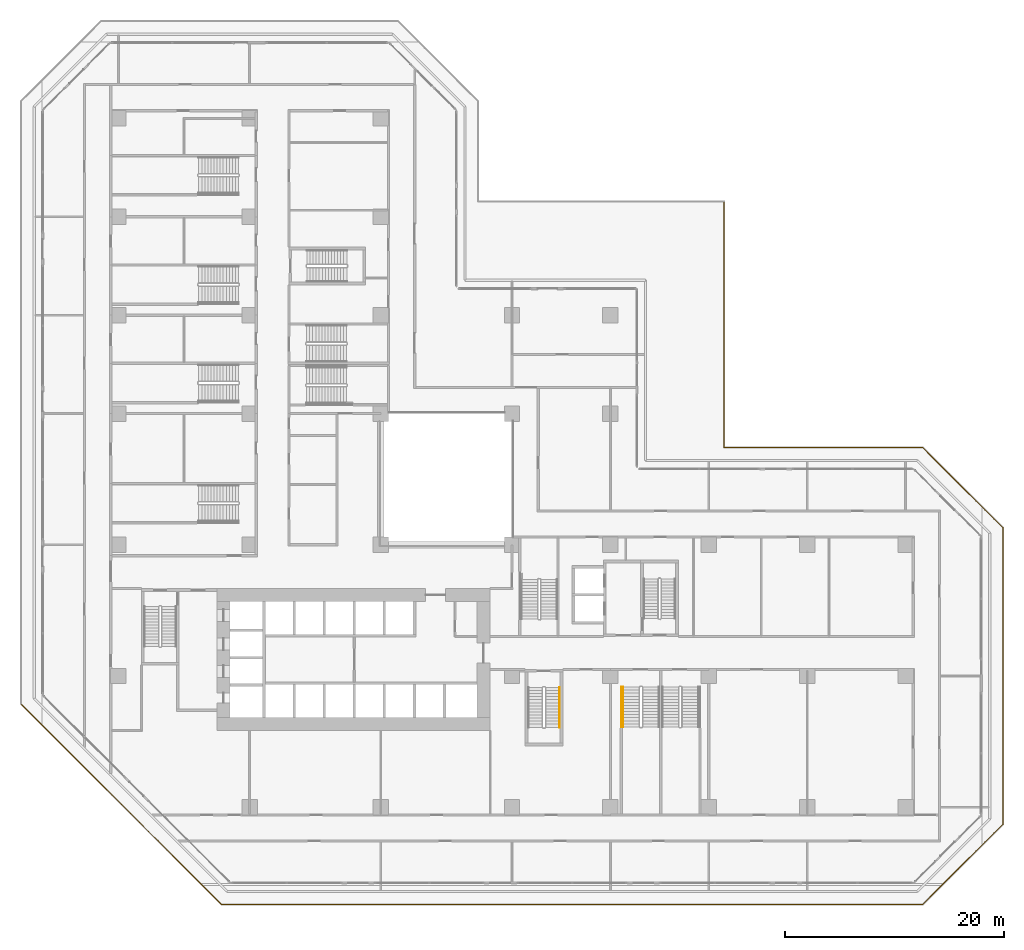
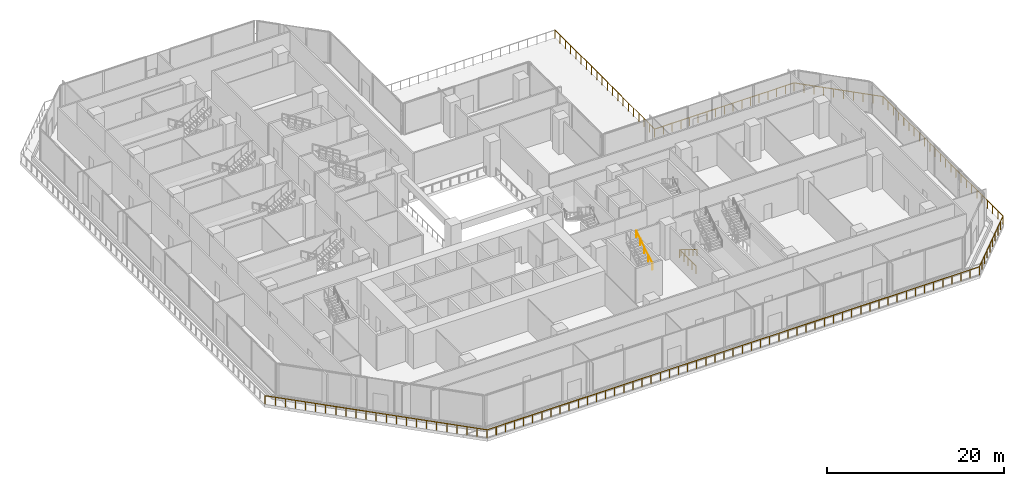
# One storey, part 21 of 25: 4 railings.
"""IFC4 building model written with IfcOpenShell, lengths in metres."""

import ifcopenshell
import ifcopenshell.guid

model = None  # the IFC model being written
_history = None  # IfcOwnerHistory: only IFC2X3 demands one
_inside = {}  # id of a spatial element -> (the spatial element, [elements in it])
_under = {}  # id of a project, library or spatial element -> (it, [spatial elements below it])
_declared = {}  # id of a project -> (the project, [libraries it declares])
_typed = {}  # id of a type object -> (the type object, [elements of that type])
_made_of = {}  # id of a material, layer set ... -> (it, [elements and type objects made of it])


def new_model(schema):
    """Start an empty IFC model of exactly this schema.

    Asked for "IFC4X3", IfcOpenShell would pick the latest addendum, in which some entities
    have other attributes; the version numbers below select the first issue.
    IFC2X3 requires an IfcOwnerHistory on every rooted entity: one is made here for all.
    """
    global model, _history
    if schema == "IFC4X3":
        model = ifcopenshell.file(schema_version=(4, 3, 0, 0))
    else:
        model = ifcopenshell.file(schema=schema)
    _inside.clear()
    _under.clear()
    _declared.clear()
    _typed.clear()
    _made_of.clear()
    _history = None
    if model.schema == "IFC2X3":
        org = make("IfcOrganization", Name="unknown")
        user = make(
            "IfcPersonAndOrganization",
            ThePerson=make("IfcPerson", FamilyName="unknown"),
            TheOrganization=org,
        )
        app = make(
            "IfcApplication",
            ApplicationDeveloper=org,
            Version="unknown",
            ApplicationFullName="unknown",
            ApplicationIdentifier="unknown",
        )
        _history = make(
            "IfcOwnerHistory",
            OwningUser=user,
            OwningApplication=app,
            ChangeAction="ADDED",
            CreationDate=0,
        )
    return model


def make(cls, **values):
    """One entity of the class cls with the attributes given. An attribute that is None is left unset."""
    return model.create_entity(
        cls, **{name: value for name, value in values.items() if value is not None}
    )


def rooted(cls, **values):
    """An entity with a GlobalId (a new one), such as an element, a storey or a relation."""
    return make(cls, GlobalId=ifcopenshell.guid.new(), OwnerHistory=_history, **values)


def si_unit(unit_type, name, prefix=None):
    """IfcSIUnit, for example si_unit("LENGTHUNIT", "METRE", prefix="MILLI")."""
    return make("IfcSIUnit", UnitType=unit_type, Prefix=prefix, Name=name)


def assignment(units):
    """IfcUnitAssignment: the units of a project."""
    return None if units is None else make("IfcUnitAssignment", Units=units)


def point(xyz):
    """IfcCartesianPoint."""
    return None if xyz is None else make("IfcCartesianPoint", Coordinates=xyz)


def direction(xyz):
    """IfcDirection."""
    return None if xyz is None else make("IfcDirection", DirectionRatios=xyz)


def frame(location, z_axis=None, x_axis=None):
    """IfcAxis2Placement3D, a coordinate frame: its origin and axes. An axis left out is left unset."""
    return make(
        "IfcAxis2Placement3D",
        Location=point(location),
        Axis=direction(z_axis),
        RefDirection=direction(x_axis),
    )


def frame_2d(location, x_axis=None):
    """IfcAxis2Placement2D, a coordinate frame in the plane: its origin and x axis."""
    return make(
        "IfcAxis2Placement2D", Location=point(location), RefDirection=direction(x_axis)
    )


def origin():
    """The frame at (0, 0, 0) with its axes left unset."""
    return frame((0.0, 0.0, 0.0))


def origin_2d():
    """The frame at (0, 0) in the plane with its x axis left unset."""
    return frame_2d((0.0, 0.0))


def place(relative_to, where):
    """IfcLocalPlacement: puts the frame where relative to a parent placement (None: the world)."""
    return make(
        "IfcLocalPlacement", PlacementRelTo=relative_to, RelativePlacement=where
    )


def context(
    kind, dimensions, precision=None, world=None, true_north=None, identifier=None
):
    """IfcGeometricRepresentationContext, for example the 3D "Model" context."""
    return make(
        "IfcGeometricRepresentationContext",
        ContextIdentifier=identifier,
        ContextType=kind,
        CoordinateSpaceDimension=dimensions,
        Precision=precision,
        WorldCoordinateSystem=world,
        TrueNorth=true_north,
    )


def subcontext(parent, identifier, kind, view, scale=None):
    """IfcGeometricRepresentationSubContext, for example "Body" below "Model"."""
    return make(
        "IfcGeometricRepresentationSubContext",
        ContextIdentifier=identifier,
        ContextType=kind,
        ParentContext=parent,
        TargetScale=scale,
        TargetView=view,
    )


def project(units=None, contexts=None):
    """IfcProject with its units and contexts."""
    return rooted(
        "IfcProject",
        Name="project",
        RepresentationContexts=contexts,
        UnitsInContext=assignment(units),
    )


def spatial(cls, under=None, at=None, **own):
    """A site, building, storey or space (cls), placed at a placement, below another one or the project."""
    s = rooted(cls, ObjectPlacement=at, **own)
    if under is not None:
        _under.setdefault(under.id(), (under, []))[1].append(s)
    return s


def profile(cls, at=None, kind="AREA", **sizes):
    """A parametric profile (cls). Its sizes go by their IFC names, for example OverallWidth=200.0."""
    return make(cls, ProfileType=kind, Position=at, **sizes)


def rectangle(**sizes):
    """IfcRectangleProfileDef."""
    return profile("IfcRectangleProfileDef", **sizes)


def extrude(swept, where, along, depth):
    """IfcExtrudedAreaSolid: the profile swept, set in the frame where, extruded along a direction by depth."""
    return make(
        "IfcExtrudedAreaSolid",
        SweptArea=swept,
        Position=where,
        ExtrudedDirection=direction(along),
        Depth=depth,
    )


def shape(context_of_items, identifier, shape_type, items):
    """IfcShapeRepresentation: the items that make up one representation, for example the "Body"."""
    return make(
        "IfcShapeRepresentation",
        ContextOfItems=context_of_items,
        RepresentationIdentifier=identifier,
        RepresentationType=shape_type,
        Items=items,
    )


def material(Name=None, Category=None):
    """IfcMaterial."""
    return make("IfcMaterial", Name=Name, Category=Category)


def made_of(thing, what):
    """Note that an element or type object is made of a material, layer set ...; save() writes the relation."""
    if what is not None:
        _made_of.setdefault(what.id(), (what, []))[1].append(thing)
    return thing


def type_object(cls, material=None, **own):
    """A type object (cls), such as IfcWallType, which elements share."""
    return made_of(rooted(cls, **own), material)


def element(
    cls,
    number,
    at=None,
    inside=None,
    cuts=None,
    type_object=None,
    material=None,
    context=None,
    identifier="Body",
    shape_type=None,
    held_by="IfcProductDefinitionShape",
    body=None,
    shapes=None,
    **own,
):
    """One element of the class cls, such as IfcWall. Its Tag is "e" and its number.

    at: its placement. inside: the storey or other place that contains it. cuts: it is an
    opening in that element (IfcRelVoidsElement). A single representation is given by context,
    identifier, shape_type and body (its items); several are given by shapes. held_by: the class
    of the entity that holds the representations. save() writes the other relations.
    """
    e = rooted(cls, Tag="e%d" % number, ObjectPlacement=at, **own)
    if body is not None:
        shapes = [shape(context, identifier, shape_type, body)]
    if shapes is not None:
        e.Representation = make(held_by, Representations=shapes)
    if inside is not None:
        _inside.setdefault(inside.id(), (inside, []))[1].append(e)
    if cuts is not None:
        rooted(
            "IfcRelVoidsElement", RelatingBuildingElement=cuts, RelatedOpeningElement=e
        )
    if type_object is not None:
        _typed.setdefault(type_object.id(), (type_object, []))[1].append(e)
    return made_of(e, material)


def aggregate(whole, parts):
    """IfcRelAggregates: a whole, such as a stair, and the parts it consists of."""
    return rooted("IfcRelAggregates", RelatingObject=whole, RelatedObjects=parts)


def save(model, path):
    """Write the relations noted so far, then the file.

    IfcRelAggregates (storeys below a building ...), IfcRelContainedInSpatialStructure (elements
    in a storey), IfcRelDefinesByType, IfcRelAssociatesMaterial and IfcRelDeclares: one each for
    every whole, place, type object, material and project.
    """
    for whole, parts in _under.values():
        aggregate(whole, parts)
    for where, things in _inside.values():
        rooted(
            "IfcRelContainedInSpatialStructure",
            RelatedElements=things,
            RelatingStructure=where,
        )
    for kind, things in _typed.values():
        rooted("IfcRelDefinesByType", RelatedObjects=things, RelatingType=kind)
    for what, things in _made_of.values():
        rooted("IfcRelAssociatesMaterial", RelatedObjects=things, RelatingMaterial=what)
    for by, libraries in _declared.values():
        rooted("IfcRelDeclares", RelatingContext=by, RelatedDefinitions=libraries)
    model.write(path)


model = new_model("IFC4")

# Units and contexts
model_context = context("Model", 3, precision=1e-05, world=origin(), true_north=direction((0.0, 1.0)))
body_context = subcontext(model_context, "Body", "Model", "MODEL_VIEW")
ifc_project = project(units=[si_unit("LENGTHUNIT", "METRE"), si_unit("AREAUNIT", "SQUARE_METRE"), si_unit("VOLUMEUNIT", "CUBIC_METRE"), si_unit("PLANEANGLEUNIT", "RADIAN"), si_unit("MASSUNIT", "GRAM", prefix="KILO")], contexts=[model_context])

# Site, building, storey
site_placement = place(None, origin())
site = spatial("IfcSite", under=ifc_project, at=site_placement, CompositionType="ELEMENT")
building_placement = place(site_placement, origin())
building = spatial("IfcBuilding", under=site, at=building_placement, Name="Chenar Terraces", CompositionType="ELEMENT")
storey_placement = place(building_placement, frame((0.0, 0.0, 21.60009765625)))
storey = spatial("IfcBuildingStorey", under=building, at=storey_placement, Name="L04", CompositionType="ELEMENT", Elevation=21.60009765625)

# Railings
ifc_material_1 = material(Name="Powder-coated steel", Category="steel")
railing_type_1 = type_object("IfcRailingType", Name="Stair guard 1100", PredefinedType="GUARDRAIL", material=ifc_material_1)
railing_1_placement = place(storey_placement, frame((46.010009765625, 10.985107421875, 0.0)))
element("IfcRailing", 1, at=railing_1_placement, inside=storey, type_object=railing_type_1, Name="L04 PS6 stair guard 101", PredefinedType="GUARDRAIL", context=body_context, shape_type="SweptSolid", body=[
    extrude(rectangle(XDim=0.048095703125, YDim=0.048095703125, at=origin_2d()), frame((0.0, 0.0, 1.076171875), z_axis=(0.0, -1.0, 0.0), x_axis=(1.0, 0.0, 0.0)), (0.0, 0.0, 1.0), 3.660888671875),
    extrude(rectangle(XDim=0.0419921875, YDim=0.0419921875, at=origin_2d()), origin(), (0.0, 0.0, 1.0), 1.052001953125),
    extrude(rectangle(XDim=0.0419921875, YDim=0.0419921875, at=origin_2d()), frame((0.0, -0.915283203125, 0.0)), (0.0, 0.0, 1.0), 1.052001953125),
    extrude(rectangle(XDim=0.0419921875, YDim=0.0419921875, at=origin_2d()), frame((0.0, -1.83056640625, 0.0)), (0.0, 0.0, 1.0), 1.052001953125),
    extrude(rectangle(XDim=0.0419921875, YDim=0.0419921875, at=origin_2d()), frame((0.0, -2.74560546875, 0.0)), (0.0, 0.0, 1.0), 1.052001953125),
    extrude(rectangle(XDim=0.0419921875, YDim=0.0419921875, at=origin_2d()), frame((0.0, -3.660888671875, 0.0)), (0.0, 0.0, 1.0), 1.052001953125),
])
ifc_material_2 = material(Name="Powder-coated steel", Category="steel")
railing_type_2 = type_object("IfcRailingType", Name="Stair handrail 900", PredefinedType="HANDRAIL", material=ifc_material_2)
railing_2_placement = place(storey_placement, frame((40.35009765625, 7.31005859375, 2.5712890625)))
element("IfcRailing", 2, at=railing_2_placement, inside=storey, type_object=railing_type_2, Name="L04 ST2 stair handrail 2", PredefinedType="HANDRAIL", context=body_context, shape_type="SweptSolid", body=[
    extrude(rectangle(XDim=0.048095703125, YDim=0.048095703125, at=origin_2d()), frame((0.0, 0.0, 0.8759765625), z_axis=(0.0, 0.852850264322, 0.5221555579), x_axis=(-1.0, 0.0, 0.0)), (0.0, 0.0, 1.0), 4.267822265625),
    extrude(rectangle(XDim=0.0419921875, YDim=0.0419921875, at=origin_2d()), origin(), (0.0, 0.0, 1.0), 0.851806640625),
    extrude(rectangle(XDim=0.0419921875, YDim=0.0419921875, at=origin_2d()), frame((0.0, 0.909912109375, 0.55712890625)), (0.0, 0.0, 1.0), 0.851806640625),
    extrude(rectangle(XDim=0.0419921875, YDim=0.0419921875, at=origin_2d()), frame((0.0, 1.81982421875, 1.1142578125)), (0.0, 0.0, 1.0), 0.851806640625),
    extrude(rectangle(XDim=0.0419921875, YDim=0.0419921875, at=origin_2d()), frame((0.0, 2.72998046875, 1.67138671875)), (0.0, 0.0, 1.0), 0.851806640625),
    extrude(rectangle(XDim=0.0419921875, YDim=0.0419921875, at=origin_2d()), frame((0.0, 3.639892578125, 2.228515625)), (0.0, 0.0, 1.0), 0.851806640625),
])
railing_3_placement = place(storey_placement, frame((46.159912109375, 10.985107421875, 0.17138671875)))
element("IfcRailing", 3, at=railing_3_placement, inside=storey, type_object=railing_type_2, Name="L04 PS6 stair handrail 1", PredefinedType="HANDRAIL", context=body_context, shape_type="SweptSolid", body=[
    extrude(rectangle(XDim=0.048095703125, YDim=0.048095703125, at=origin_2d()), frame((0.0, 0.0, 0.8759765625), z_axis=(0.0, -0.852865859571, 0.52213008492), x_axis=(1.0, 0.0, 0.0)), (0.0, 0.0, 1.0), 4.26806640625),
    extrude(rectangle(XDim=0.0419921875, YDim=0.0419921875, at=origin_2d()), origin(), (0.0, 0.0, 1.0), 0.851806640625),
    extrude(rectangle(XDim=0.0419921875, YDim=0.0419921875, at=origin_2d()), frame((0.0, -0.91015625, 0.55712890625)), (0.0, 0.0, 1.0), 0.851806640625),
    extrude(rectangle(XDim=0.0419921875, YDim=0.0419921875, at=origin_2d()), frame((0.0, -1.820068359375, 1.1142578125)), (0.0, 0.0, 1.0), 0.851806640625),
    extrude(rectangle(XDim=0.0419921875, YDim=0.0419921875, at=origin_2d()), frame((0.0, -2.72998046875, 1.67138671875)), (0.0, 0.0, 1.0), 0.851806640625),
    extrude(rectangle(XDim=0.0419921875, YDim=0.0419921875, at=origin_2d()), frame((0.0, -3.64013671875, 2.228515625)), (0.0, 0.0, 1.0), 0.851806640625),
])
ifc_material_3 = material(Name="Stainless steel and glass", Category="steel")
railing_type_3 = type_object("IfcRailingType", Name="Terrace guard 1150", PredefinedType="GUARDRAIL", material=ifc_material_3)
railing_4_placement = place(storey_placement, frame((55.39990234375, 55.39990234375, 0.0)))
element("IfcRailing", 4, at=railing_4_placement, inside=storey, type_object=railing_type_3, Name="Terrace guard", PredefinedType="GUARDRAIL", context=body_context, shape_type="SweptSolid", body=[
    extrude(rectangle(XDim=0.048095703125, YDim=0.048095703125, at=origin_2d()), frame((0.0, 0.0, 1.1259765625), z_axis=(0.0, -1.0, 0.0), x_axis=(1.0, 0.0, 0.0)), (0.0, 0.0, 1.0), 22.5),
    extrude(rectangle(XDim=0.048095703125, YDim=0.048095703125, at=origin_2d()), frame((0.0, -22.5, 1.1259765625), z_axis=(1.0, 0.0, 0.0), x_axis=(0.0, 1.0, 0.0)), (0.0, 0.0, 1.0), 18.165283203125),
    extrude(rectangle(XDim=0.048095703125, YDim=0.048095703125, at=origin_2d()), frame((18.165283203125, -22.5, 1.1259765625), z_axis=(0.707106781187, -0.707106781187, 0.0), x_axis=(0.707106781187, 0.707106781187, 0.0)), (0.0, 0.0, 1.0), 10.372802734375),
    extrude(rectangle(XDim=0.048095703125, YDim=0.048095703125, at=origin_2d()), frame((25.5, -29.834716796875, 1.1259765625), z_axis=(0.0, -1.0, 0.0), x_axis=(1.0, 0.0, 0.0)), (0.0, 0.0, 1.0), 27.13037109375),
    extrude(rectangle(XDim=0.048095703125, YDim=0.048095703125, at=origin_2d()), frame((25.5, -56.965087890625, 1.1259765625), z_axis=(-0.707106781187, -0.707106781187, 0.0), x_axis=(0.707106781187, -0.707106781187, 0.0)), (0.0, 0.0, 1.0), 10.372802734375),
    extrude(rectangle(XDim=0.048095703125, YDim=0.048095703125, at=origin_2d()), frame((18.165283203125, -64.2998046875, 1.1259765625), z_axis=(-1.0, 0.0, 0.0), x_axis=(0.0, -1.0, 0.0)), (0.0, 0.0, 1.0), 64.13037109375),
    extrude(rectangle(XDim=0.048095703125, YDim=0.048095703125, at=origin_2d()), frame((-45.965087890625, -64.2998046875, 1.1259765625), z_axis=(-0.707106781187, 0.707106781187, 0.0), x_axis=(-0.707106781187, -0.707106781187, 0.0)), (0.0, 0.0, 1.0), 25.92919921875),
    extrude(rectangle(XDim=0.0419921875, YDim=0.0419921875, at=origin_2d()), origin(), (0.0, 0.0, 1.0), 1.101806640625),
    extrude(rectangle(XDim=0.0419921875, YDim=0.0419921875, at=origin_2d()), frame((0.0, -1.184326171875, 0.0)), (0.0, 0.0, 1.0), 1.101806640625),
    extrude(rectangle(XDim=0.0419921875, YDim=0.0419921875, at=origin_2d()), frame((0.0, -2.368408203125, 0.0)), (0.0, 0.0, 1.0), 1.101806640625),
    extrude(rectangle(XDim=0.0419921875, YDim=0.0419921875, at=origin_2d()), frame((0.0, -3.552734375, 0.0)), (0.0, 0.0, 1.0), 1.101806640625),
    extrude(rectangle(XDim=0.0419921875, YDim=0.0419921875, at=origin_2d()), frame((0.0, -4.73681640625, 0.0)), (0.0, 0.0, 1.0), 1.101806640625),
    extrude(rectangle(XDim=0.0419921875, YDim=0.0419921875, at=origin_2d()), frame((0.0, -5.921142578125, 0.0)), (0.0, 0.0, 1.0), 1.101806640625),
    extrude(rectangle(XDim=0.0419921875, YDim=0.0419921875, at=origin_2d()), frame((0.0, -7.105224609375, 0.0)), (0.0, 0.0, 1.0), 1.101806640625),
    extrude(rectangle(XDim=0.0419921875, YDim=0.0419921875, at=origin_2d()), frame((0.0, -8.28955078125, 0.0)), (0.0, 0.0, 1.0), 1.101806640625),
    extrude(rectangle(XDim=0.0419921875, YDim=0.0419921875, at=origin_2d()), frame((0.0, -9.4736328125, 0.0)), (0.0, 0.0, 1.0), 1.101806640625),
    extrude(rectangle(XDim=0.0419921875, YDim=0.0419921875, at=origin_2d()), frame((0.0, -10.657958984375, 0.0)), (0.0, 0.0, 1.0), 1.101806640625),
    extrude(rectangle(XDim=0.0419921875, YDim=0.0419921875, at=origin_2d()), frame((0.0, -11.842041015625, 0.0)), (0.0, 0.0, 1.0), 1.101806640625),
    extrude(rectangle(XDim=0.0419921875, YDim=0.0419921875, at=origin_2d()), frame((0.0, -13.0263671875, 0.0)), (0.0, 0.0, 1.0), 1.101806640625),
    extrude(rectangle(XDim=0.0419921875, YDim=0.0419921875, at=origin_2d()), frame((0.0, -14.21044921875, 0.0)), (0.0, 0.0, 1.0), 1.101806640625),
    extrude(rectangle(XDim=0.0419921875, YDim=0.0419921875, at=origin_2d()), frame((0.0, -15.394775390625, 0.0)), (0.0, 0.0, 1.0), 1.101806640625),
    extrude(rectangle(XDim=0.0419921875, YDim=0.0419921875, at=origin_2d()), frame((0.0, -16.578857421875, 0.0)), (0.0, 0.0, 1.0), 1.101806640625),
    extrude(rectangle(XDim=0.0419921875, YDim=0.0419921875, at=origin_2d()), frame((0.0, -17.76318359375, 0.0)), (0.0, 0.0, 1.0), 1.101806640625),
    extrude(rectangle(XDim=0.0419921875, YDim=0.0419921875, at=origin_2d()), frame((0.0, -18.947265625, 0.0)), (0.0, 0.0, 1.0), 1.101806640625),
    extrude(rectangle(XDim=0.0419921875, YDim=0.0419921875, at=origin_2d()), frame((0.0, -20.131591796875, 0.0)), (0.0, 0.0, 1.0), 1.101806640625),
    extrude(rectangle(XDim=0.0419921875, YDim=0.0419921875, at=origin_2d()), frame((0.0, -21.315673828125, 0.0)), (0.0, 0.0, 1.0), 1.101806640625),
    extrude(rectangle(XDim=0.0419921875, YDim=0.0419921875, at=origin_2d()), frame((0.0, -22.5, 0.0)), (0.0, 0.0, 1.0), 1.101806640625),
    extrude(rectangle(XDim=0.0419921875, YDim=0.0419921875, at=origin_2d()), frame((1.13525390625, -22.5, 0.0)), (0.0, 0.0, 1.0), 1.101806640625),
    extrude(rectangle(XDim=0.0419921875, YDim=0.0419921875, at=origin_2d()), frame((2.270751953125, -22.5, 0.0)), (0.0, 0.0, 1.0), 1.101806640625),
    extrude(rectangle(XDim=0.0419921875, YDim=0.0419921875, at=origin_2d()), frame((3.406005859375, -22.5, 0.0)), (0.0, 0.0, 1.0), 1.101806640625),
    extrude(rectangle(XDim=0.0419921875, YDim=0.0419921875, at=origin_2d()), frame((4.541259765625, -22.5, 0.0)), (0.0, 0.0, 1.0), 1.101806640625),
    extrude(rectangle(XDim=0.0419921875, YDim=0.0419921875, at=origin_2d()), frame((5.6767578125, -22.5, 0.0)), (0.0, 0.0, 1.0), 1.101806640625),
    extrude(rectangle(XDim=0.0419921875, YDim=0.0419921875, at=origin_2d()), frame((6.81201171875, -22.5, 0.0)), (0.0, 0.0, 1.0), 1.101806640625),
    extrude(rectangle(XDim=0.0419921875, YDim=0.0419921875, at=origin_2d()), frame((7.947265625, -22.5, 0.0)), (0.0, 0.0, 1.0), 1.101806640625),
    extrude(rectangle(XDim=0.0419921875, YDim=0.0419921875, at=origin_2d()), frame((9.08251953125, -22.5, 0.0)), (0.0, 0.0, 1.0), 1.101806640625),
    extrude(rectangle(XDim=0.0419921875, YDim=0.0419921875, at=origin_2d()), frame((10.218017578125, -22.5, 0.0)), (0.0, 0.0, 1.0), 1.101806640625),
    extrude(rectangle(XDim=0.0419921875, YDim=0.0419921875, at=origin_2d()), frame((11.353271484375, -22.5, 0.0)), (0.0, 0.0, 1.0), 1.101806640625),
    extrude(rectangle(XDim=0.0419921875, YDim=0.0419921875, at=origin_2d()), frame((12.488525390625, -22.5, 0.0)), (0.0, 0.0, 1.0), 1.101806640625),
    extrude(rectangle(XDim=0.0419921875, YDim=0.0419921875, at=origin_2d()), frame((13.6240234375, -22.5, 0.0)), (0.0, 0.0, 1.0), 1.101806640625),
    extrude(rectangle(XDim=0.0419921875, YDim=0.0419921875, at=origin_2d()), frame((14.75927734375, -22.5, 0.0)), (0.0, 0.0, 1.0), 1.101806640625),
    extrude(rectangle(XDim=0.0419921875, YDim=0.0419921875, at=origin_2d()), frame((15.89453125, -22.5, 0.0)), (0.0, 0.0, 1.0), 1.101806640625),
    extrude(rectangle(XDim=0.0419921875, YDim=0.0419921875, at=origin_2d()), frame((17.030029296875, -22.5, 0.0)), (0.0, 0.0, 1.0), 1.101806640625),
    extrude(rectangle(XDim=0.0419921875, YDim=0.0419921875, at=origin_2d()), frame((18.165283203125, -22.5, 0.0)), (0.0, 0.0, 1.0), 1.101806640625),
    extrude(rectangle(XDim=0.0419921875, YDim=0.0419921875, at=origin_2d()), frame((18.980224609375, -23.31494140625, 0.0)), (0.0, 0.0, 1.0), 1.101806640625),
    extrude(rectangle(XDim=0.0419921875, YDim=0.0419921875, at=origin_2d()), frame((19.795166015625, -24.1298828125, 0.0)), (0.0, 0.0, 1.0), 1.101806640625),
    extrude(rectangle(XDim=0.0419921875, YDim=0.0419921875, at=origin_2d()), frame((20.610107421875, -24.94482421875, 0.0)), (0.0, 0.0, 1.0), 1.101806640625),
    extrude(rectangle(XDim=0.0419921875, YDim=0.0419921875, at=origin_2d()), frame((21.425048828125, -25.759765625, 0.0)), (0.0, 0.0, 1.0), 1.101806640625),
    extrude(rectangle(XDim=0.0419921875, YDim=0.0419921875, at=origin_2d()), frame((22.240234375, -26.574951171875, 0.0)), (0.0, 0.0, 1.0), 1.101806640625),
    extrude(rectangle(XDim=0.0419921875, YDim=0.0419921875, at=origin_2d()), frame((23.05517578125, -27.389892578125, 0.0)), (0.0, 0.0, 1.0), 1.101806640625),
    extrude(rectangle(XDim=0.0419921875, YDim=0.0419921875, at=origin_2d()), frame((23.8701171875, -28.204833984375, 0.0)), (0.0, 0.0, 1.0), 1.101806640625),
    extrude(rectangle(XDim=0.0419921875, YDim=0.0419921875, at=origin_2d()), frame((24.68505859375, -29.019775390625, 0.0)), (0.0, 0.0, 1.0), 1.101806640625),
    extrude(rectangle(XDim=0.0419921875, YDim=0.0419921875, at=origin_2d()), frame((25.5, -29.834716796875, 0.0)), (0.0, 0.0, 1.0), 1.101806640625),
    extrude(rectangle(XDim=0.0419921875, YDim=0.0419921875, at=origin_2d()), frame((25.5, -31.014404296875, 0.0)), (0.0, 0.0, 1.0), 1.101806640625),
    extrude(rectangle(XDim=0.0419921875, YDim=0.0419921875, at=origin_2d()), frame((25.5, -32.19384765625, 0.0)), (0.0, 0.0, 1.0), 1.101806640625),
    extrude(rectangle(XDim=0.0419921875, YDim=0.0419921875, at=origin_2d()), frame((25.5, -33.37353515625, 0.0)), (0.0, 0.0, 1.0), 1.101806640625),
    extrude(rectangle(XDim=0.0419921875, YDim=0.0419921875, at=origin_2d()), frame((25.5, -34.552978515625, 0.0)), (0.0, 0.0, 1.0), 1.101806640625),
    extrude(rectangle(XDim=0.0419921875, YDim=0.0419921875, at=origin_2d()), frame((25.5, -35.732666015625, 0.0)), (0.0, 0.0, 1.0), 1.101806640625),
    extrude(rectangle(XDim=0.0419921875, YDim=0.0419921875, at=origin_2d()), frame((25.5, -36.912109375, 0.0)), (0.0, 0.0, 1.0), 1.101806640625),
    extrude(rectangle(XDim=0.0419921875, YDim=0.0419921875, at=origin_2d()), frame((25.5, -38.091796875, 0.0)), (0.0, 0.0, 1.0), 1.101806640625),
    extrude(rectangle(XDim=0.0419921875, YDim=0.0419921875, at=origin_2d()), frame((25.5, -39.271484375, 0.0)), (0.0, 0.0, 1.0), 1.101806640625),
    extrude(rectangle(XDim=0.0419921875, YDim=0.0419921875, at=origin_2d()), frame((25.5, -40.450927734375, 0.0)), (0.0, 0.0, 1.0), 1.101806640625),
    extrude(rectangle(XDim=0.0419921875, YDim=0.0419921875, at=origin_2d()), frame((25.5, -41.630615234375, 0.0)), (0.0, 0.0, 1.0), 1.101806640625),
    extrude(rectangle(XDim=0.0419921875, YDim=0.0419921875, at=origin_2d()), frame((25.5, -42.81005859375, 0.0)), (0.0, 0.0, 1.0), 1.101806640625),
    extrude(rectangle(XDim=0.0419921875, YDim=0.0419921875, at=origin_2d()), frame((25.5, -43.98974609375, 0.0)), (0.0, 0.0, 1.0), 1.101806640625),
    extrude(rectangle(XDim=0.0419921875, YDim=0.0419921875, at=origin_2d()), frame((25.5, -45.169189453125, 0.0)), (0.0, 0.0, 1.0), 1.101806640625),
    extrude(rectangle(XDim=0.0419921875, YDim=0.0419921875, at=origin_2d()), frame((25.5, -46.348876953125, 0.0)), (0.0, 0.0, 1.0), 1.101806640625),
    extrude(rectangle(XDim=0.0419921875, YDim=0.0419921875, at=origin_2d()), frame((25.5, -47.5283203125, 0.0)), (0.0, 0.0, 1.0), 1.101806640625),
    extrude(rectangle(XDim=0.0419921875, YDim=0.0419921875, at=origin_2d()), frame((25.5, -48.7080078125, 0.0)), (0.0, 0.0, 1.0), 1.101806640625),
    extrude(rectangle(XDim=0.0419921875, YDim=0.0419921875, at=origin_2d()), frame((25.5, -49.8876953125, 0.0)), (0.0, 0.0, 1.0), 1.101806640625),
    extrude(rectangle(XDim=0.0419921875, YDim=0.0419921875, at=origin_2d()), frame((25.5, -51.067138671875, 0.0)), (0.0, 0.0, 1.0), 1.101806640625),
    extrude(rectangle(XDim=0.0419921875, YDim=0.0419921875, at=origin_2d()), frame((25.5, -52.246826171875, 0.0)), (0.0, 0.0, 1.0), 1.101806640625),
    extrude(rectangle(XDim=0.0419921875, YDim=0.0419921875, at=origin_2d()), frame((25.5, -53.42626953125, 0.0)), (0.0, 0.0, 1.0), 1.101806640625),
    extrude(rectangle(XDim=0.0419921875, YDim=0.0419921875, at=origin_2d()), frame((25.5, -54.60595703125, 0.0)), (0.0, 0.0, 1.0), 1.101806640625),
    extrude(rectangle(XDim=0.0419921875, YDim=0.0419921875, at=origin_2d()), frame((25.5, -55.785400390625, 0.0)), (0.0, 0.0, 1.0), 1.101806640625),
    extrude(rectangle(XDim=0.0419921875, YDim=0.0419921875, at=origin_2d()), frame((25.5, -56.965087890625, 0.0)), (0.0, 0.0, 1.0), 1.101806640625),
    extrude(rectangle(XDim=0.0419921875, YDim=0.0419921875, at=origin_2d()), frame((24.68505859375, -57.780029296875, 0.0)), (0.0, 0.0, 1.0), 1.101806640625),
    extrude(rectangle(XDim=0.0419921875, YDim=0.0419921875, at=origin_2d()), frame((23.8701171875, -58.594970703125, 0.0)), (0.0, 0.0, 1.0), 1.101806640625),
    extrude(rectangle(XDim=0.0419921875, YDim=0.0419921875, at=origin_2d()), frame((23.05517578125, -59.409912109375, 0.0)), (0.0, 0.0, 1.0), 1.101806640625),
    extrude(rectangle(XDim=0.0419921875, YDim=0.0419921875, at=origin_2d()), frame((22.240234375, -60.224853515625, 0.0)), (0.0, 0.0, 1.0), 1.101806640625),
    extrude(rectangle(XDim=0.0419921875, YDim=0.0419921875, at=origin_2d()), frame((21.425048828125, -61.0400390625, 0.0)), (0.0, 0.0, 1.0), 1.101806640625),
    extrude(rectangle(XDim=0.0419921875, YDim=0.0419921875, at=origin_2d()), frame((20.610107421875, -61.85498046875, 0.0)), (0.0, 0.0, 1.0), 1.101806640625),
    extrude(rectangle(XDim=0.0419921875, YDim=0.0419921875, at=origin_2d()), frame((19.795166015625, -62.669921875, 0.0)), (0.0, 0.0, 1.0), 1.101806640625),
    extrude(rectangle(XDim=0.0419921875, YDim=0.0419921875, at=origin_2d()), frame((18.980224609375, -63.48486328125, 0.0)), (0.0, 0.0, 1.0), 1.101806640625),
    extrude(rectangle(XDim=0.0419921875, YDim=0.0419921875, at=origin_2d()), frame((18.165283203125, -64.2998046875, 0.0)), (0.0, 0.0, 1.0), 1.101806640625),
    extrude(rectangle(XDim=0.0419921875, YDim=0.0419921875, at=origin_2d()), frame((16.977783203125, -64.2998046875, 0.0)), (0.0, 0.0, 1.0), 1.101806640625),
    extrude(rectangle(XDim=0.0419921875, YDim=0.0419921875, at=origin_2d()), frame((15.7900390625, -64.2998046875, 0.0)), (0.0, 0.0, 1.0), 1.101806640625),
    extrude(rectangle(XDim=0.0419921875, YDim=0.0419921875, at=origin_2d()), frame((14.6025390625, -64.2998046875, 0.0)), (0.0, 0.0, 1.0), 1.101806640625),
    extrude(rectangle(XDim=0.0419921875, YDim=0.0419921875, at=origin_2d()), frame((13.414794921875, -64.2998046875, 0.0)), (0.0, 0.0, 1.0), 1.101806640625),
    extrude(rectangle(XDim=0.0419921875, YDim=0.0419921875, at=origin_2d()), frame((12.227294921875, -64.2998046875, 0.0)), (0.0, 0.0, 1.0), 1.101806640625),
    extrude(rectangle(XDim=0.0419921875, YDim=0.0419921875, at=origin_2d()), frame((11.039794921875, -64.2998046875, 0.0)), (0.0, 0.0, 1.0), 1.101806640625),
    extrude(rectangle(XDim=0.0419921875, YDim=0.0419921875, at=origin_2d()), frame((9.85205078125, -64.2998046875, 0.0)), (0.0, 0.0, 1.0), 1.101806640625),
    extrude(rectangle(XDim=0.0419921875, YDim=0.0419921875, at=origin_2d()), frame((8.66455078125, -64.2998046875, 0.0)), (0.0, 0.0, 1.0), 1.101806640625),
    extrude(rectangle(XDim=0.0419921875, YDim=0.0419921875, at=origin_2d()), frame((7.476806640625, -64.2998046875, 0.0)), (0.0, 0.0, 1.0), 1.101806640625),
    extrude(rectangle(XDim=0.0419921875, YDim=0.0419921875, at=origin_2d()), frame((6.289306640625, -64.2998046875, 0.0)), (0.0, 0.0, 1.0), 1.101806640625),
    extrude(rectangle(XDim=0.0419921875, YDim=0.0419921875, at=origin_2d()), frame((5.101806640625, -64.2998046875, 0.0)), (0.0, 0.0, 1.0), 1.101806640625),
    extrude(rectangle(XDim=0.0419921875, YDim=0.0419921875, at=origin_2d()), frame((3.9140625, -64.2998046875, 0.0)), (0.0, 0.0, 1.0), 1.101806640625),
    extrude(rectangle(XDim=0.0419921875, YDim=0.0419921875, at=origin_2d()), frame((2.7265625, -64.2998046875, 0.0)), (0.0, 0.0, 1.0), 1.101806640625),
    extrude(rectangle(XDim=0.0419921875, YDim=0.0419921875, at=origin_2d()), frame((1.538818359375, -64.2998046875, 0.0)), (0.0, 0.0, 1.0), 1.101806640625),
    extrude(rectangle(XDim=0.0419921875, YDim=0.0419921875, at=origin_2d()), frame((0.351318359375, -64.2998046875, 0.0)), (0.0, 0.0, 1.0), 1.101806640625),
    extrude(rectangle(XDim=0.0419921875, YDim=0.0419921875, at=origin_2d()), frame((-0.83642578125, -64.2998046875, 0.0)), (0.0, 0.0, 1.0), 1.101806640625),
    extrude(rectangle(XDim=0.0419921875, YDim=0.0419921875, at=origin_2d()), frame((-2.02392578125, -64.2998046875, 0.0)), (0.0, 0.0, 1.0), 1.101806640625),
    extrude(rectangle(XDim=0.0419921875, YDim=0.0419921875, at=origin_2d()), frame((-3.21142578125, -64.2998046875, 0.0)), (0.0, 0.0, 1.0), 1.101806640625),
    extrude(rectangle(XDim=0.0419921875, YDim=0.0419921875, at=origin_2d()), frame((-4.399169921875, -64.2998046875, 0.0)), (0.0, 0.0, 1.0), 1.101806640625),
    extrude(rectangle(XDim=0.0419921875, YDim=0.0419921875, at=origin_2d()), frame((-5.586669921875, -64.2998046875, 0.0)), (0.0, 0.0, 1.0), 1.101806640625),
    extrude(rectangle(XDim=0.0419921875, YDim=0.0419921875, at=origin_2d()), frame((-6.7744140625, -64.2998046875, 0.0)), (0.0, 0.0, 1.0), 1.101806640625),
    extrude(rectangle(XDim=0.0419921875, YDim=0.0419921875, at=origin_2d()), frame((-7.9619140625, -64.2998046875, 0.0)), (0.0, 0.0, 1.0), 1.101806640625),
    extrude(rectangle(XDim=0.0419921875, YDim=0.0419921875, at=origin_2d()), frame((-9.1494140625, -64.2998046875, 0.0)), (0.0, 0.0, 1.0), 1.101806640625),
    extrude(rectangle(XDim=0.0419921875, YDim=0.0419921875, at=origin_2d()), frame((-10.337158203125, -64.2998046875, 0.0)), (0.0, 0.0, 1.0), 1.101806640625),
    extrude(rectangle(XDim=0.0419921875, YDim=0.0419921875, at=origin_2d()), frame((-11.524658203125, -64.2998046875, 0.0)), (0.0, 0.0, 1.0), 1.101806640625),
    extrude(rectangle(XDim=0.0419921875, YDim=0.0419921875, at=origin_2d()), frame((-12.71240234375, -64.2998046875, 0.0)), (0.0, 0.0, 1.0), 1.101806640625),
    extrude(rectangle(XDim=0.0419921875, YDim=0.0419921875, at=origin_2d()), frame((-13.89990234375, -64.2998046875, 0.0)), (0.0, 0.0, 1.0), 1.101806640625),
    extrude(rectangle(XDim=0.0419921875, YDim=0.0419921875, at=origin_2d()), frame((-15.08740234375, -64.2998046875, 0.0)), (0.0, 0.0, 1.0), 1.101806640625),
    extrude(rectangle(XDim=0.0419921875, YDim=0.0419921875, at=origin_2d()), frame((-16.275146484375, -64.2998046875, 0.0)), (0.0, 0.0, 1.0), 1.101806640625),
    extrude(rectangle(XDim=0.0419921875, YDim=0.0419921875, at=origin_2d()), frame((-17.462646484375, -64.2998046875, 0.0)), (0.0, 0.0, 1.0), 1.101806640625),
    extrude(rectangle(XDim=0.0419921875, YDim=0.0419921875, at=origin_2d()), frame((-18.650390625, -64.2998046875, 0.0)), (0.0, 0.0, 1.0), 1.101806640625),
    extrude(rectangle(XDim=0.0419921875, YDim=0.0419921875, at=origin_2d()), frame((-19.837890625, -64.2998046875, 0.0)), (0.0, 0.0, 1.0), 1.101806640625),
    extrude(rectangle(XDim=0.0419921875, YDim=0.0419921875, at=origin_2d()), frame((-21.025390625, -64.2998046875, 0.0)), (0.0, 0.0, 1.0), 1.101806640625),
    extrude(rectangle(XDim=0.0419921875, YDim=0.0419921875, at=origin_2d()), frame((-22.213134765625, -64.2998046875, 0.0)), (0.0, 0.0, 1.0), 1.101806640625),
    extrude(rectangle(XDim=0.0419921875, YDim=0.0419921875, at=origin_2d()), frame((-23.400634765625, -64.2998046875, 0.0)), (0.0, 0.0, 1.0), 1.101806640625),
    extrude(rectangle(XDim=0.0419921875, YDim=0.0419921875, at=origin_2d()), frame((-24.58837890625, -64.2998046875, 0.0)), (0.0, 0.0, 1.0), 1.101806640625),
    extrude(rectangle(XDim=0.0419921875, YDim=0.0419921875, at=origin_2d()), frame((-25.77587890625, -64.2998046875, 0.0)), (0.0, 0.0, 1.0), 1.101806640625),
    extrude(rectangle(XDim=0.0419921875, YDim=0.0419921875, at=origin_2d()), frame((-26.96337890625, -64.2998046875, 0.0)), (0.0, 0.0, 1.0), 1.101806640625),
    extrude(rectangle(XDim=0.0419921875, YDim=0.0419921875, at=origin_2d()), frame((-28.151123046875, -64.2998046875, 0.0)), (0.0, 0.0, 1.0), 1.101806640625),
    extrude(rectangle(XDim=0.0419921875, YDim=0.0419921875, at=origin_2d()), frame((-29.338623046875, -64.2998046875, 0.0)), (0.0, 0.0, 1.0), 1.101806640625),
    extrude(rectangle(XDim=0.0419921875, YDim=0.0419921875, at=origin_2d()), frame((-30.5263671875, -64.2998046875, 0.0)), (0.0, 0.0, 1.0), 1.101806640625),
    extrude(rectangle(XDim=0.0419921875, YDim=0.0419921875, at=origin_2d()), frame((-31.7138671875, -64.2998046875, 0.0)), (0.0, 0.0, 1.0), 1.101806640625),
    extrude(rectangle(XDim=0.0419921875, YDim=0.0419921875, at=origin_2d()), frame((-32.901611328125, -64.2998046875, 0.0)), (0.0, 0.0, 1.0), 1.101806640625),
    extrude(rectangle(XDim=0.0419921875, YDim=0.0419921875, at=origin_2d()), frame((-34.089111328125, -64.2998046875, 0.0)), (0.0, 0.0, 1.0), 1.101806640625),
    extrude(rectangle(XDim=0.0419921875, YDim=0.0419921875, at=origin_2d()), frame((-35.276611328125, -64.2998046875, 0.0)), (0.0, 0.0, 1.0), 1.101806640625),
    extrude(rectangle(XDim=0.0419921875, YDim=0.0419921875, at=origin_2d()), frame((-36.46435546875, -64.2998046875, 0.0)), (0.0, 0.0, 1.0), 1.101806640625),
    extrude(rectangle(XDim=0.0419921875, YDim=0.0419921875, at=origin_2d()), frame((-37.65185546875, -64.2998046875, 0.0)), (0.0, 0.0, 1.0), 1.101806640625),
    extrude(rectangle(XDim=0.0419921875, YDim=0.0419921875, at=origin_2d()), frame((-38.839599609375, -64.2998046875, 0.0)), (0.0, 0.0, 1.0), 1.101806640625),
    extrude(rectangle(XDim=0.0419921875, YDim=0.0419921875, at=origin_2d()), frame((-40.027099609375, -64.2998046875, 0.0)), (0.0, 0.0, 1.0), 1.101806640625),
    extrude(rectangle(XDim=0.0419921875, YDim=0.0419921875, at=origin_2d()), frame((-41.214599609375, -64.2998046875, 0.0)), (0.0, 0.0, 1.0), 1.101806640625),
    extrude(rectangle(XDim=0.0419921875, YDim=0.0419921875, at=origin_2d()), frame((-42.40234375, -64.2998046875, 0.0)), (0.0, 0.0, 1.0), 1.101806640625),
    extrude(rectangle(XDim=0.0419921875, YDim=0.0419921875, at=origin_2d()), frame((-43.58984375, -64.2998046875, 0.0)), (0.0, 0.0, 1.0), 1.101806640625),
    extrude(rectangle(XDim=0.0419921875, YDim=0.0419921875, at=origin_2d()), frame((-44.777587890625, -64.2998046875, 0.0)), (0.0, 0.0, 1.0), 1.101806640625),
    extrude(rectangle(XDim=0.0419921875, YDim=0.0419921875, at=origin_2d()), frame((-45.965087890625, -64.2998046875, 0.0)), (0.0, 0.0, 1.0), 1.101806640625),
    extrude(rectangle(XDim=0.0419921875, YDim=0.0419921875, at=origin_2d()), frame((-46.798583984375, -63.46630859375, 0.0)), (0.0, 0.0, 1.0), 1.101806640625),
    extrude(rectangle(XDim=0.0419921875, YDim=0.0419921875, at=origin_2d()), frame((-47.6318359375, -62.633056640625, 0.0)), (0.0, 0.0, 1.0), 1.101806640625),
    extrude(rectangle(XDim=0.0419921875, YDim=0.0419921875, at=origin_2d()), frame((-48.46533203125, -61.799560546875, 0.0)), (0.0, 0.0, 1.0), 1.101806640625),
    extrude(rectangle(XDim=0.0419921875, YDim=0.0419921875, at=origin_2d()), frame((-49.298583984375, -60.96630859375, 0.0)), (0.0, 0.0, 1.0), 1.101806640625),
    extrude(rectangle(XDim=0.0419921875, YDim=0.0419921875, at=origin_2d()), frame((-50.132080078125, -60.1328125, 0.0)), (0.0, 0.0, 1.0), 1.101806640625),
    extrude(rectangle(XDim=0.0419921875, YDim=0.0419921875, at=origin_2d()), frame((-50.965576171875, -59.29931640625, 0.0)), (0.0, 0.0, 1.0), 1.101806640625),
    extrude(rectangle(XDim=0.0419921875, YDim=0.0419921875, at=origin_2d()), frame((-51.798828125, -58.466064453125, 0.0)), (0.0, 0.0, 1.0), 1.101806640625),
    extrude(rectangle(XDim=0.0419921875, YDim=0.0419921875, at=origin_2d()), frame((-52.63232421875, -57.632568359375, 0.0)), (0.0, 0.0, 1.0), 1.101806640625),
    extrude(rectangle(XDim=0.0419921875, YDim=0.0419921875, at=origin_2d()), frame((-53.465576171875, -56.79931640625, 0.0)), (0.0, 0.0, 1.0), 1.101806640625),
    extrude(rectangle(XDim=0.0419921875, YDim=0.0419921875, at=origin_2d()), frame((-54.299072265625, -55.9658203125, 0.0)), (0.0, 0.0, 1.0), 1.101806640625),
    extrude(rectangle(XDim=0.0419921875, YDim=0.0419921875, at=origin_2d()), frame((-55.13232421875, -55.13232421875, 0.0)), (0.0, 0.0, 1.0), 1.101806640625),
    extrude(rectangle(XDim=0.0419921875, YDim=0.0419921875, at=origin_2d()), frame((-55.9658203125, -54.299072265625, 0.0)), (0.0, 0.0, 1.0), 1.101806640625),
    extrude(rectangle(XDim=0.0419921875, YDim=0.0419921875, at=origin_2d()), frame((-56.79931640625, -53.465576171875, 0.0)), (0.0, 0.0, 1.0), 1.101806640625),
    extrude(rectangle(XDim=0.0419921875, YDim=0.0419921875, at=origin_2d()), frame((-57.632568359375, -52.63232421875, 0.0)), (0.0, 0.0, 1.0), 1.101806640625),
    extrude(rectangle(XDim=0.0419921875, YDim=0.0419921875, at=origin_2d()), frame((-58.466064453125, -51.798828125, 0.0)), (0.0, 0.0, 1.0), 1.101806640625),
    extrude(rectangle(XDim=0.0419921875, YDim=0.0419921875, at=origin_2d()), frame((-59.29931640625, -50.965576171875, 0.0)), (0.0, 0.0, 1.0), 1.101806640625),
    extrude(rectangle(XDim=0.0419921875, YDim=0.0419921875, at=origin_2d()), frame((-60.1328125, -50.132080078125, 0.0)), (0.0, 0.0, 1.0), 1.101806640625),
    extrude(rectangle(XDim=0.0419921875, YDim=0.0419921875, at=origin_2d()), frame((-60.96630859375, -49.298583984375, 0.0)), (0.0, 0.0, 1.0), 1.101806640625),
    extrude(rectangle(XDim=0.0419921875, YDim=0.0419921875, at=origin_2d()), frame((-61.799560546875, -48.46533203125, 0.0)), (0.0, 0.0, 1.0), 1.101806640625),
    extrude(rectangle(XDim=0.0419921875, YDim=0.0419921875, at=origin_2d()), frame((-62.633056640625, -47.6318359375, 0.0)), (0.0, 0.0, 1.0), 1.101806640625),
    extrude(rectangle(XDim=0.0419921875, YDim=0.0419921875, at=origin_2d()), frame((-63.46630859375, -46.798583984375, 0.0)), (0.0, 0.0, 1.0), 1.101806640625),
    extrude(rectangle(XDim=0.0419921875, YDim=0.0419921875, at=origin_2d()), frame((-64.2998046875, -45.965087890625, 0.0)), (0.0, 0.0, 1.0), 1.101806640625),
])

save(model, "model.ifc")
